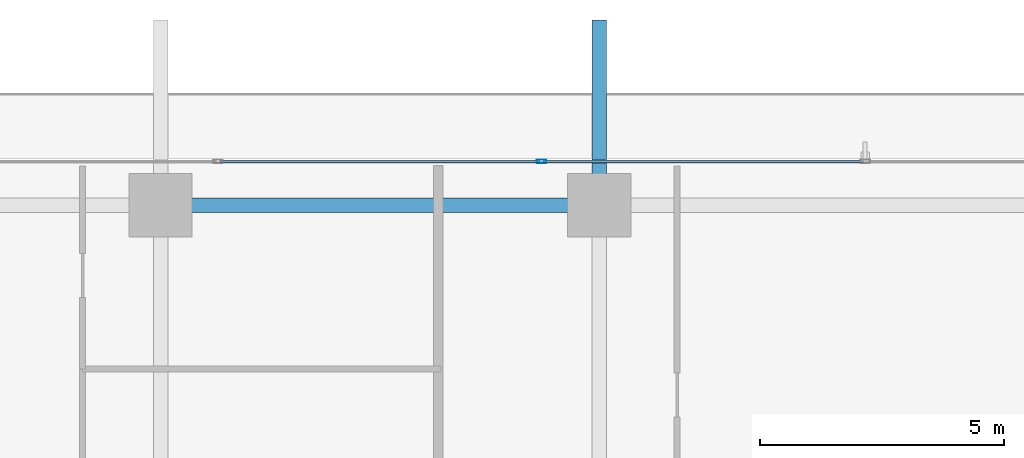
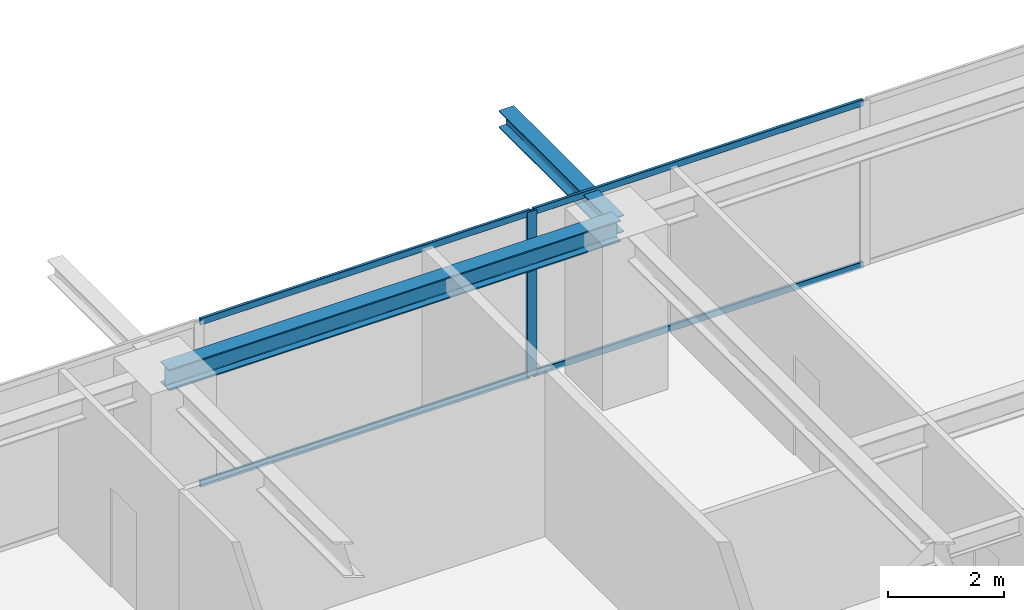
# One storey, part 21 of 36: 5 members, 2 beams, 1 element without a shape of its own.
"""IFC4 building model written with IfcOpenShell, lengths in metres."""

from ifc_helpers import new_model, si_unit, direction, frame, origin, origin_2d, place, context, subcontext, project, spatial, hollow_rectangle, i_section, extrude, source, transform, mapped, material, layer, layer_set, material_profile, profile_set, type_object, element, aggregate, save


model = new_model("IFC4")

# Units and contexts
model_context = context("Model", 3, precision=1e-05, world=origin(), true_north=direction((0.0, 1.0)))
body_context = subcontext(model_context, "Body", "Model", "MODEL_VIEW")
ifc_project = project(units=[si_unit("LENGTHUNIT", "METRE"), si_unit("AREAUNIT", "SQUARE_METRE"), si_unit("VOLUMEUNIT", "CUBIC_METRE"), si_unit("PLANEANGLEUNIT", "RADIAN"), si_unit("MASSUNIT", "GRAM", prefix="KILO")], contexts=[model_context])

# Site, building, storey
site_placement = place(None, origin())
site = spatial("IfcSite", under=ifc_project, at=site_placement, CompositionType="ELEMENT")
building_placement = place(site_placement, origin())
building = spatial("IfcBuilding", under=site, at=building_placement, Name="Serunith Strait Residences", CompositionType="ELEMENT")
storey_placement = place(building_placement, frame((0.0, 0.0, 146.39990234375)))
storey = spatial("IfcBuildingStorey", under=building, at=storey_placement, Name="L36", CompositionType="ELEMENT", Elevation=146.39990234375)

# Beams
ifc_material_1 = material(Name="Steel S355J2", Category="steel")
ifc_material_profile_1 = material_profile(ifc_material_1, i_section(OverallWidth=0.300048828125, OverallDepth=0.449951171875, WebThickness=0.013916015625, FlangeThickness=0.02587890625, FilletRadius=0.027099609375, at=origin_2d()), Name="HEB 450")
ifc_profile_set_1 = profile_set([ifc_material_profile_1], Name="Steel S355J2")
beam_type_1 = type_object("IfcBeamType", Name="BM-HEB450", PredefinedType="BEAM", material=ifc_profile_set_1)
shared_shape_1 = source(origin(), body_context, "Body", "SweptSolid", [
    extrude(i_section(OverallWidth=0.300048828125, OverallDepth=0.449951171875, WebThickness=0.013916015625, FlangeThickness=0.02587890625, FilletRadius=0.027099609375, at=origin_2d()), origin(), (0.0, 0.0, 1.0), 9.0),
])
beam_1_placement = place(storey_placement, frame((36.89990234375, 48.10009765625, 3.26220703125), z_axis=(-1.0, 0.0, 0.0), x_axis=(0.0, -1.0, 0.0)))
element("IfcBeam", 1, at=beam_1_placement, inside=storey, type_object=beam_type_1, Name="L36 Perimeter Ring Beam 10", PredefinedType="BEAM", context=body_context, shape_type="MappedRepresentation", body=[
    mapped(shared_shape_1, transform((0.0, 0.0, 0.0), scale=1.0)),
])
ifc_material_profile_2 = material_profile(ifc_material_1, i_section(OverallWidth=0.300048828125, OverallDepth=0.360107421875, WebThickness=0.012451171875, FlangeThickness=0.0224609375, FilletRadius=0.027099609375, at=origin_2d()), Name="HEB 360")
ifc_profile_set_2 = profile_set([ifc_material_profile_2], Name="Steel S355J2")
beam_type_2 = type_object("IfcBeamType", Name="BM-HEB360", PredefinedType="BEAM", material=ifc_profile_set_2)
shared_shape_2 = source(origin(), body_context, "Body", "SweptSolid", [
    extrude(i_section(OverallWidth=0.300048828125, OverallDepth=0.360107421875, WebThickness=0.012451171875, FlangeThickness=0.0224609375, FilletRadius=0.027099609375, at=origin_2d()), origin(), (0.0, 0.0, 1.0), 3.7998046875),
])
beam_2_placement = place(storey_placement, frame((36.89990234375, 48.10009765625, 3.277099609375), z_axis=(0.0, 1.0, 0.0), x_axis=(-1.0, 0.0, 0.0)))
element("IfcBeam", 2, at=beam_2_placement, inside=storey, type_object=beam_type_2, Name="L37 Cantilevered Balcony Rib TC-N3", PredefinedType="BEAM", context=body_context, shape_type="MappedRepresentation", body=[
    mapped(shared_shape_2, transform((0.0, 0.0, 0.0), scale=1.0)),
])

# Curtain wall, members
ifc_material_2 = material(Name="Pale-Champagne Anodised Aluminium", Category="aluminium")
ifc_layer = layer(ifc_material_2, 0.199951171875, Name="Pale-Champagne Anodised Aluminium")
ifc_layer_set = layer_set([ifc_layer], Name="Pale-Champagne Anodised Aluminium")
curtain_wall_type = type_object("IfcCurtainWallType", Name="CW-SYS2", PredefinedType="NOTDEFINED", material=ifc_layer_set)
curtain_wall_placement = place(storey_placement, origin())
curtain_wall = element("IfcCurtainWall", 3, at=curtain_wall_placement, inside=storey, type_object=curtain_wall_type, Name="L36 N Unitised Fritted Curtain Wall", PredefinedType="NOTDEFINED")
ifc_material_profile_3 = material_profile(ifc_material_2, hollow_rectangle(XDim=0.070068359375, YDim=0.199951171875, WallThickness=0.00390625, InnerFilletRadius=0.006103515625, OuterFilletRadius=0.010009765625, at=origin_2d()), Name="ALU 200x70x4")
ifc_profile_set_3 = profile_set([ifc_material_profile_3], Name="Pale-Champagne Anodised Aluminium")
member_type_1 = type_object("IfcMemberType", Name="CW-SYS2-MULL", PredefinedType="MULLION", material=ifc_profile_set_3)
shared_shape_3 = source(origin(), body_context, "Body", "SweptSolid", [
    extrude(hollow_rectangle(XDim=0.070068359375, YDim=0.199951171875, WallThickness=0.00390625, InnerFilletRadius=0.006103515625, OuterFilletRadius=0.010009765625, at=origin_2d()), origin(), (0.0, 0.0, 1.0), 3.47509765625),
])
member_1_placement = place(storey_placement, frame((35.719970703125, 49.0, 0.0), z_axis=(0.0, 0.0, 1.0), x_axis=(0.0, -1.0, 0.0)))
member_1 = element("IfcMember", 4, at=member_1_placement, type_object=member_type_1, Name="CW-2 mullion 3", PredefinedType="MULLION", context=body_context, shape_type="MappedRepresentation", body=[
    mapped(shared_shape_3, transform((0.0, 0.0, 0.0), scale=1.0)),
])
ifc_material_profile_4 = material_profile(ifc_material_2, hollow_rectangle(XDim=0.06005859375, YDim=0.139892578125, WallThickness=0.00341796875, InnerFilletRadius=0.00537109375, OuterFilletRadius=0.0087890625, at=origin_2d()), Name="ALU 140x60x3.5")
ifc_profile_set_4 = profile_set([ifc_material_profile_4], Name="Pale-Champagne Anodised Aluminium")
member_type_2 = type_object("IfcMemberType", Name="CW-SYS2-TRAN", PredefinedType="USERDEFINED", material=ifc_profile_set_4)
shared_shape_4 = source(origin(), body_context, "Body", "SweptSolid", [
    extrude(hollow_rectangle(XDim=0.06005859375, YDim=0.139892578125, WallThickness=0.00341796875, InnerFilletRadius=0.00537109375, OuterFilletRadius=0.0087890625, at=origin_2d()), origin(), (0.0, 0.0, 1.0), 6.570068359375),
])
member_2_placement = place(storey_placement, frame((42.324951171875, 49.0, 0.030029296875), z_axis=(-1.0, 0.0, 0.0), x_axis=(0.0, -1.0, 0.0)))
member_2 = element("IfcMember", 5, at=member_2_placement, type_object=member_type_2, Name="CW-2 transom 2.1", ObjectType="TRANSOM", PredefinedType="USERDEFINED", context=body_context, shape_type="MappedRepresentation", body=[
    mapped(shared_shape_4, transform((0.0, 0.0, 0.0), scale=1.0)),
])
member_3_placement = place(storey_placement, frame((42.324951171875, 49.0, 3.445068359375), z_axis=(-1.0, 0.0, 0.0), x_axis=(0.0, -1.0, 0.0)))
member_3 = element("IfcMember", 6, at=member_3_placement, type_object=member_type_2, Name="CW-2 transom 2.2", ObjectType="TRANSOM", PredefinedType="USERDEFINED", context=body_context, shape_type="MappedRepresentation", body=[
    mapped(shared_shape_4, transform((0.0, 0.0, 0.0), scale=1.0)),
])
member_4_placement = place(storey_placement, frame((35.68505859375, 49.0, 0.030029296875), z_axis=(-1.0, 0.0, 0.0), x_axis=(0.0, -1.0, 0.0)))
member_4 = element("IfcMember", 7, at=member_4_placement, type_object=member_type_2, Name="CW-2 transom 3.1", ObjectType="TRANSOM", PredefinedType="USERDEFINED", context=body_context, shape_type="MappedRepresentation", body=[
    mapped(shared_shape_4, transform((0.0, 0.0, 0.0), scale=1.0)),
])
member_5_placement = place(storey_placement, frame((35.68505859375, 49.0, 3.445068359375), z_axis=(-1.0, 0.0, 0.0), x_axis=(0.0, -1.0, 0.0)))
member_5 = element("IfcMember", 8, at=member_5_placement, type_object=member_type_2, Name="CW-2 transom 3.2", ObjectType="TRANSOM", PredefinedType="USERDEFINED", context=body_context, shape_type="MappedRepresentation", body=[
    mapped(shared_shape_4, transform((0.0, 0.0, 0.0), scale=1.0)),
])
aggregate(curtain_wall, [member_1, member_2, member_3, member_4, member_5])

save(model, "model.ifc")
